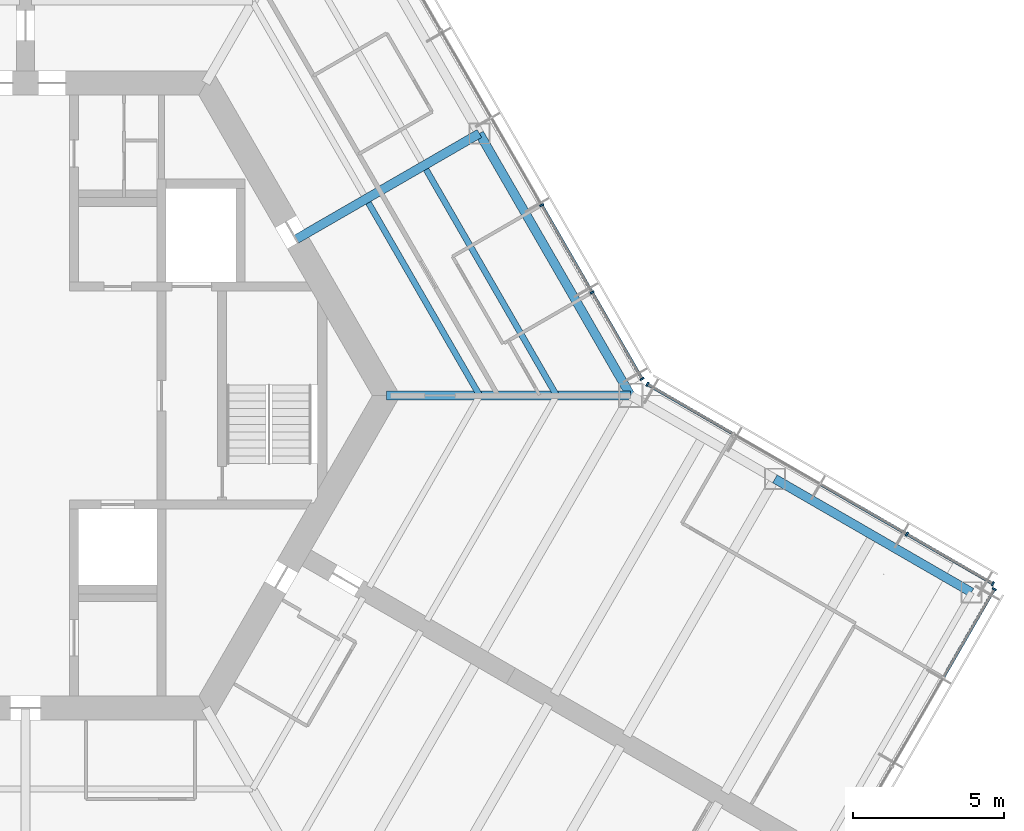
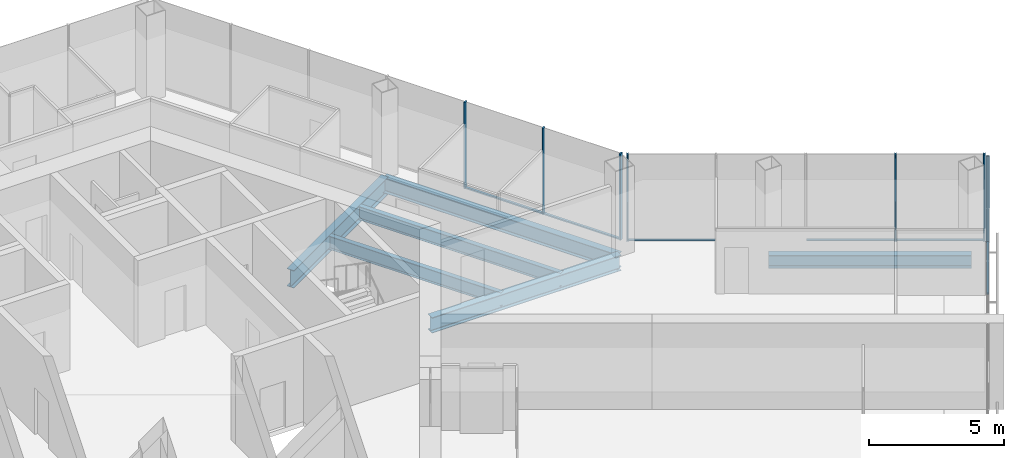
# One storey, part 5 of 17: 13 members, 6 beams, 3 elements without a shape of their own.
"""IFC4 building model written with IfcOpenShell, lengths in metres."""

from ifc_helpers import new_model, si_unit, direction, frame, origin, origin_2d, place, context, subcontext, project, spatial, rectangle, i_section, extrude, material, material_profile, profile_set, type_object, element, aggregate, save


model = new_model("IFC4")

# Units and contexts
model_context = context("Model", 3, precision=1e-05, world=origin(), true_north=direction((0.0, 1.0)))
body_context = subcontext(model_context, "Body", "Model", "MODEL_VIEW")
ifc_project = project(units=[si_unit("LENGTHUNIT", "METRE"), si_unit("AREAUNIT", "SQUARE_METRE"), si_unit("VOLUMEUNIT", "CUBIC_METRE"), si_unit("PLANEANGLEUNIT", "RADIAN"), si_unit("MASSUNIT", "GRAM", prefix="KILO")], contexts=[model_context])

# Site, building, storey
site_placement = place(None, origin())
site = spatial("IfcSite", under=ifc_project, at=site_placement, CompositionType="ELEMENT")
building_placement = place(site_placement, origin())
building = spatial("IfcBuilding", under=site, at=building_placement, Name="Kasaneha Research Tower", CompositionType="ELEMENT")
storey_placement = place(building_placement, frame((0.0, 0.0, 232.300048828125)))
storey = spatial("IfcBuildingStorey", under=building, at=storey_placement, Name="L58", CompositionType="ELEMENT", Elevation=232.300048828125)

# Beams
ifc_material_1 = material(Name="Steel SN490B", Category="steel")
ifc_material_profile_1 = material_profile(ifc_material_1, i_section(OverallWidth=0.199951171875, OverallDepth=0.60009765625, WebThickness=0.010986328125, FlangeThickness=0.01708984375, FilletRadius=0.012939453125, at=origin_2d()), Name="H-600x200x11x17")
ifc_profile_set_1 = profile_set([ifc_material_profile_1], Name="Steel SN490B")
beam_type_1 = type_object("IfcBeamType", Name="B1-3 secondary beam H-600x200x11x17", PredefinedType="JOIST", material=ifc_profile_set_1)
beam_1_placement = place(storey_placement, frame((15.010986328125, 0.0, -0.449951171875), z_axis=(-0.499994443168, 0.866028611999, 0.0), x_axis=(-0.866028611999, -0.499994443168, 0.0)))
element("IfcBeam", 1, at=beam_1_placement, inside=storey, type_object=beam_type_1, Name="Secondary beam RS030L1 L58", PredefinedType="JOIST", context=body_context, shape_type="SweptSolid", body=[
    extrude(i_section(OverallWidth=0.199951171875, OverallDepth=0.60009765625, WebThickness=0.010986328125, FlangeThickness=0.01708984375, FilletRadius=0.012939453125, at=origin_2d()), origin(), (0.0, 0.0, 1.0), 7.35546875),
])
beam_2_placement = place(storey_placement, frame((17.551513671875, 0.0, -0.449951171875), z_axis=(-0.5000050195, 0.866022505755, 0.0), x_axis=(-0.866022505755, -0.5000050195, 0.0)))
element("IfcBeam", 2, at=beam_2_placement, inside=storey, type_object=beam_type_1, Name="Secondary beam RS030L2 L58", PredefinedType="JOIST", context=body_context, shape_type="SweptSolid", body=[
    extrude(i_section(OverallWidth=0.199951171875, OverallDepth=0.60009765625, WebThickness=0.010986328125, FlangeThickness=0.01708984375, FilletRadius=0.012939453125, at=origin_2d()), origin(), (0.0, 0.0, 1.0), 8.6259765625),
])

# Curtain wall, members
ifc_material_2 = material(Name="Glass and aluminium", Category="aluminium")
curtain_wall_type = type_object("IfcCurtainWallType", Name="High-rise office curtain wall", PredefinedType="USERDEFINED", material=ifc_material_2)
curtain_wall_1_placement = place(storey_placement, origin())
curtain_wall_1 = element("IfcCurtainWall", 3, at=curtain_wall_1_placement, inside=storey, type_object=curtain_wall_type, Name="CW-O3 L58 run 01a", ObjectType="UNITISED CURTAIN WALL", PredefinedType="USERDEFINED")
ifc_material_3 = material(Name="Aluminium 6063-T6", Category="aluminium")
ifc_material_profile_2 = material_profile(ifc_material_3, rectangle(XDim=0.06005859375, YDim=0.139892578125, at=origin_2d()), Name="CW-O3 mullion 60x140")
ifc_profile_set_2 = profile_set([ifc_material_profile_2], Name="Aluminium 6063-T6")
member_type_1 = type_object("IfcMemberType", Name="CW-O3 mullion", PredefinedType="MULLION", material=ifc_profile_set_2)
member_1_placement = place(storey_placement, frame((20.374267578125, 0.5517578125, 0.0), z_axis=(0.0, 0.0, 1.0), x_axis=(-0.499999979232, 0.866025415775, 0.0)))
member_1 = element("IfcMember", 4, at=member_1_placement, type_object=member_type_1, Name="CW-O3 mullion 1", PredefinedType="MULLION", context=body_context, shape_type="SweptSolid", body=[
    extrude(rectangle(XDim=0.06005859375, YDim=0.139892578125, at=origin_2d()), origin(), (0.0, 0.0, 1.0), 3.89990234375),
])
member_2_placement = place(storey_placement, frame((18.723876953125, 3.410400390625, 0.0), z_axis=(0.0, 0.0, 1.0), x_axis=(-0.499999979232, 0.866025415775, 0.0)))
member_2 = element("IfcMember", 5, at=member_2_placement, type_object=member_type_1, Name="CW-O3 mullion 2", PredefinedType="MULLION", context=body_context, shape_type="SweptSolid", body=[
    extrude(rectangle(XDim=0.06005859375, YDim=0.139892578125, at=origin_2d()), origin(), (0.0, 0.0, 1.0), 3.89990234375),
])
member_3_placement = place(storey_placement, frame((17.058349609375, 6.295166015625, 0.0), z_axis=(0.0, 0.0, 1.0), x_axis=(-0.499999979232, 0.866025415775, 0.0)))
member_3 = element("IfcMember", 6, at=member_3_placement, type_object=member_type_1, Name="CW-O3 mullion 3", PredefinedType="MULLION", context=body_context, shape_type="SweptSolid", body=[
    extrude(rectangle(XDim=0.06005859375, YDim=0.139892578125, at=origin_2d()), origin(), (0.0, 0.0, 1.0), 3.89990234375),
])

# Curtain wall, member
curtain_wall_2_placement = place(storey_placement, origin())
curtain_wall_2 = element("IfcCurtainWall", 7, at=curtain_wall_2_placement, inside=storey, type_object=curtain_wall_type, Name="CW-O3 L58 run 08a", ObjectType="UNITISED CURTAIN WALL", PredefinedType="USERDEFINED")
member_4_placement = place(storey_placement, frame((32.012939453125, -6.39306640625, 0.0), z_axis=(0.0, 0.0, 1.0), x_axis=(0.500000011442, 0.866025397178, 0.0)))
member_4 = element("IfcMember", 8, at=member_4_placement, type_object=member_type_1, Name="CW-O3 mullion 4", PredefinedType="MULLION", context=body_context, shape_type="SweptSolid", body=[
    extrude(rectangle(XDim=0.06005859375, YDim=0.139892578125, at=origin_2d()), origin(), (0.0, 0.0, 1.0), 3.89990234375),
])

# Curtain wall, members
curtain_wall_3_placement = place(storey_placement, origin())
curtain_wall_3 = element("IfcCurtainWall", 9, at=curtain_wall_3_placement, inside=storey, type_object=curtain_wall_type, Name="CW-O3 L58 run 09a", ObjectType="UNITISED CURTAIN WALL", PredefinedType="USERDEFINED")
member_5_placement = place(storey_placement, frame((31.96533203125, -6.21533203125, 0.0), z_axis=(0.0, 0.0, 1.0), x_axis=(-0.866025411464, 0.499999986699, 0.0)))
member_5 = element("IfcMember", 10, at=member_5_placement, type_object=member_type_1, Name="CW-O3 mullion 1", PredefinedType="MULLION", context=body_context, shape_type="SweptSolid", body=[
    extrude(rectangle(XDim=0.06005859375, YDim=0.139892578125, at=origin_2d()), origin(), (0.0, 0.0, 1.0), 3.89990234375),
])
member_6_placement = place(storey_placement, frame((29.125, -4.575439453125, 0.0), z_axis=(0.0, 0.0, 1.0), x_axis=(-0.866025411464, 0.499999986699, 0.0)))
member_6 = element("IfcMember", 11, at=member_6_placement, type_object=member_type_1, Name="CW-O3 mullion 2", PredefinedType="MULLION", context=body_context, shape_type="SweptSolid", body=[
    extrude(rectangle(XDim=0.06005859375, YDim=0.139892578125, at=origin_2d()), origin(), (0.0, 0.0, 1.0), 3.89990234375),
])
member_7_placement = place(storey_placement, frame((20.5517578125, 0.374267578125, 0.0), z_axis=(0.0, 0.0, 1.0), x_axis=(-0.866025411464, 0.499999986699, 0.0)))
member_7 = element("IfcMember", 12, at=member_7_placement, type_object=member_type_1, Name="CW-O3 mullion 5", PredefinedType="MULLION", context=body_context, shape_type="SweptSolid", body=[
    extrude(rectangle(XDim=0.06005859375, YDim=0.139892578125, at=origin_2d()), origin(), (0.0, 0.0, 1.0), 3.89990234375),
])

# Member
ifc_material_4 = material(Name="Aluminium 6063-T6", Category="aluminium")
ifc_material_profile_3 = material_profile(ifc_material_4, rectangle(XDim=0.10009765625, YDim=0.06005859375, at=origin_2d()), Name="CW-O3 transom 100x60")
ifc_profile_set_3 = profile_set([ifc_material_profile_3], Name="Aluminium 6063-T6")
member_type_2 = type_object("IfcMemberType", Name="CW-O3 transom", PredefinedType="USERDEFINED", material=ifc_profile_set_3)
member_8_placement = place(storey_placement, frame((20.359130859375, 0.577880859375, 0.030029296875), z_axis=(-0.499987643696, 0.866032537582, 0.0), x_axis=(-0.866032537582, -0.499987643696, 0.0)))
member_8 = element("IfcMember", 13, at=member_8_placement, type_object=member_type_2, Name="CW-O3 transom 1", ObjectType="TRANSOM", PredefinedType="USERDEFINED", context=body_context, shape_type="SweptSolid", body=[
    extrude(rectangle(XDim=0.10009765625, YDim=0.06005859375, at=origin_2d()), origin(), (0.0, 0.0, 1.0), 3.24072265625),
])

member_9_placement = place(storey_placement, frame((18.708740234375, 3.4365234375, 0.030029296875), z_axis=(-0.500000270186, 0.866025247793, 0.0), x_axis=(-0.866025247793, -0.500000270186, 0.0)))
member_9 = element("IfcMember", 14, at=member_9_placement, type_object=member_type_2, Name="CW-O3 transom 2", ObjectType="TRANSOM", PredefinedType="USERDEFINED", context=body_context, shape_type="SweptSolid", body=[
    extrude(rectangle(XDim=0.10009765625, YDim=0.06005859375, at=origin_2d()), origin(), (0.0, 0.0, 1.0), 3.27099609375),
])

aggregate(curtain_wall_1, [member_1, member_2, member_3, member_8, member_9])

member_10_placement = place(storey_placement, frame((30.343017578125, -9.285400390625, 0.030029296875), z_axis=(0.500018282537, 0.866014848099, 0.0), x_axis=(-0.866014848099, 0.500018282537, 0.0)))
member_10 = element("IfcMember", 15, at=member_10_placement, type_object=member_type_2, Name="CW-O3 transom 3", ObjectType="TRANSOM", PredefinedType="USERDEFINED", context=body_context, shape_type="SweptSolid", body=[
    extrude(rectangle(XDim=0.10009765625, YDim=0.06005859375, at=origin_2d()), origin(), (0.0, 0.0, 1.0), 3.31005859375),
])

aggregate(curtain_wall_2, [member_4, member_10])

member_11_placement = place(storey_placement, frame((31.939453125, -6.200439453125, 0.030029296875), z_axis=(-0.866041647767, 0.499971863542, 0.0), x_axis=(-0.499971863542, -0.866041647767, 0.0)))
member_11 = element("IfcMember", 16, at=member_11_placement, type_object=member_type_2, Name="CW-O3 transom 1", ObjectType="TRANSOM", PredefinedType="USERDEFINED", context=body_context, shape_type="SweptSolid", body=[
    extrude(rectangle(XDim=0.10009765625, YDim=0.06005859375, at=origin_2d()), origin(), (0.0, 0.0, 1.0), 3.219970703125),
])

member_12_placement = place(storey_placement, frame((29.098876953125, -4.560546875, 0.030029296875), z_axis=(-0.86599666273, 0.500049777664, 0.0), x_axis=(-0.500049777664, -0.86599666273, 0.0)))
member_12 = element("IfcMember", 17, at=member_12_placement, type_object=member_type_2, Name="CW-O3 transom 2", ObjectType="TRANSOM", PredefinedType="USERDEFINED", context=body_context, shape_type="SweptSolid", body=[
    extrude(rectangle(XDim=0.10009765625, YDim=0.06005859375, at=origin_2d()), origin(), (0.0, 0.0, 1.0), 3.249755859375),
])

member_13_placement = place(storey_placement, frame((23.3662109375, -1.250732421875, 0.030029296875), z_axis=(-0.866022692473, 0.500004696101, 0.0), x_axis=(-0.500004696101, -0.866022692473, 0.0)))
member_13 = element("IfcMember", 18, at=member_13_placement, type_object=member_type_2, Name="CW-O3 transom 4", ObjectType="TRANSOM", PredefinedType="USERDEFINED", context=body_context, shape_type="SweptSolid", body=[
    extrude(rectangle(XDim=0.10009765625, YDim=0.06005859375, at=origin_2d()), origin(), (0.0, 0.0, 1.0), 3.2197265625),
])

aggregate(curtain_wall_3, [member_5, member_6, member_7, member_11, member_12, member_13])

# Beams
ifc_material_5 = material(Name="Steel SN490B", Category="steel")
ifc_material_profile_4 = material_profile(ifc_material_5, i_section(OverallWidth=0.300048828125, OverallDepth=0.699951171875, WebThickness=0.012939453125, FlangeThickness=0.02392578125, FilletRadius=0.01806640625, at=origin_2d()), Name="H-700x300x13x24")
ifc_profile_set_4 = profile_set([ifc_material_profile_4], Name="Steel SN490B")
beam_type_2 = type_object("IfcBeamType", Name="G1-3 radial girder H-700x300x13x24", PredefinedType="BEAM", material=ifc_profile_set_4)
beam_3_placement = place(storey_placement, frame((11.92236328125, 0.0, -0.5), z_axis=(1.0, 0.0, 0.0), x_axis=(0.0, 1.0, 0.0)))
element("IfcBeam", 19, at=beam_3_placement, inside=storey, type_object=beam_type_2, Name="Radial girder RV000 L58", PredefinedType="BEAM", context=body_context, shape_type="SweptSolid", body=[
    extrude(i_section(OverallWidth=0.300048828125, OverallDepth=0.699951171875, WebThickness=0.012939453125, FlangeThickness=0.02392578125, FilletRadius=0.01806640625, at=origin_2d()), origin(), (0.0, 0.0, 1.0), 8.07763671875),
])
ifc_material_6 = material(Name="Steel SN490B", Category="steel")
ifc_material_profile_5 = material_profile(ifc_material_6, i_section(OverallWidth=0.300048828125, OverallDepth=0.800048828125, WebThickness=0.013916015625, FlangeThickness=0.02587890625, FilletRadius=0.01806640625, at=origin_2d()), Name="H-800x300x14x26")
ifc_profile_set_5 = profile_set([ifc_material_profile_5], Name="Steel SN490B")
beam_type_3 = type_object("IfcBeamType", Name="G2-3 radial girder H-800x300x14x26", PredefinedType="BEAM", material=ifc_profile_set_5)
beam_4_placement = place(storey_placement, frame((8.941650390625, 5.16259765625, -0.550048828125), z_axis=(0.866039713508, 0.499975214012, 0.0), x_axis=(-0.499975214012, 0.866039713508, 0.0)))
element("IfcBeam", 20, at=beam_4_placement, inside=storey, type_object=beam_type_3, Name="Radial girder RM030 L58", PredefinedType="BEAM", context=body_context, shape_type="SweptSolid", body=[
    extrude(i_section(OverallWidth=0.300048828125, OverallDepth=0.800048828125, WebThickness=0.013916015625, FlangeThickness=0.02587890625, FilletRadius=0.01806640625, at=origin_2d()), origin(), (0.0, 0.0, 1.0), 6.995361328125),
])
ifc_material_7 = material(Name="Steel SN490B", Category="steel")
ifc_material_profile_6 = material_profile(ifc_material_7, i_section(OverallWidth=0.300048828125, OverallDepth=0.69189453125, WebThickness=0.012939453125, FlangeThickness=0.02001953125, FilletRadius=0.01806640625, at=origin_2d()), Name="H-692x300x13x20")
ifc_profile_set_6 = profile_set([ifc_material_profile_6], Name="Steel SN490B")
beam_type_4 = type_object("IfcBeamType", Name="SB1-3 spandrel beam H-692x300x13x20", PredefinedType="SPANDREL", material=ifc_profile_set_6)
beam_5_placement = place(storey_placement, frame((20.0, 0.0, -0.49609375), z_axis=(-0.500004234368, 0.866022959057, 0.0), x_axis=(-0.866022959057, -0.500004234368, 0.0)))
element("IfcBeam", 21, at=beam_5_placement, inside=storey, type_object=beam_type_4, Name="Spandrel beam SR030L L58", PredefinedType="SPANDREL", context=body_context, shape_type="SweptSolid", body=[
    extrude(i_section(OverallWidth=0.300048828125, OverallDepth=0.69189453125, WebThickness=0.012939453125, FlangeThickness=0.02001953125, FilletRadius=0.01806640625, at=origin_2d()), origin(), (0.0, 0.0, 1.0), 10.0),
])
ifc_material_8 = material(Name="Steel SN490B", Category="steel")
ifc_material_profile_7 = material_profile(ifc_material_8, i_section(OverallWidth=0.300048828125, OverallDepth=0.58203125, WebThickness=0.011962890625, FlangeThickness=0.01708984375, FilletRadius=0.012939453125, at=origin_2d()), Name="H-582x300x12x17")
ifc_profile_set_7 = profile_set([ifc_material_profile_7], Name="Steel SN490B")
beam_type_5 = type_object("IfcBeamType", Name="SB2-3 spandrel beam H-582x300x12x17", PredefinedType="SPANDREL", material=ifc_profile_set_7)
beam_6_placement = place(storey_placement, frame((24.76318359375, -2.75, -0.441162109375), z_axis=(0.866022959057, -0.500004234368, 0.0), x_axis=(0.500004234368, 0.866022959057, 0.0)))
element("IfcBeam", 22, at=beam_6_placement, inside=storey, type_object=beam_type_5, Name="Spandrel beam WSCN2 L58", PredefinedType="SPANDREL", context=body_context, shape_type="SweptSolid", body=[
    extrude(i_section(OverallWidth=0.300048828125, OverallDepth=0.58203125, WebThickness=0.011962890625, FlangeThickness=0.01708984375, FilletRadius=0.012939453125, at=origin_2d()), origin(), (0.0, 0.0, 1.0), 7.5),
])

save(model, "model.ifc")
